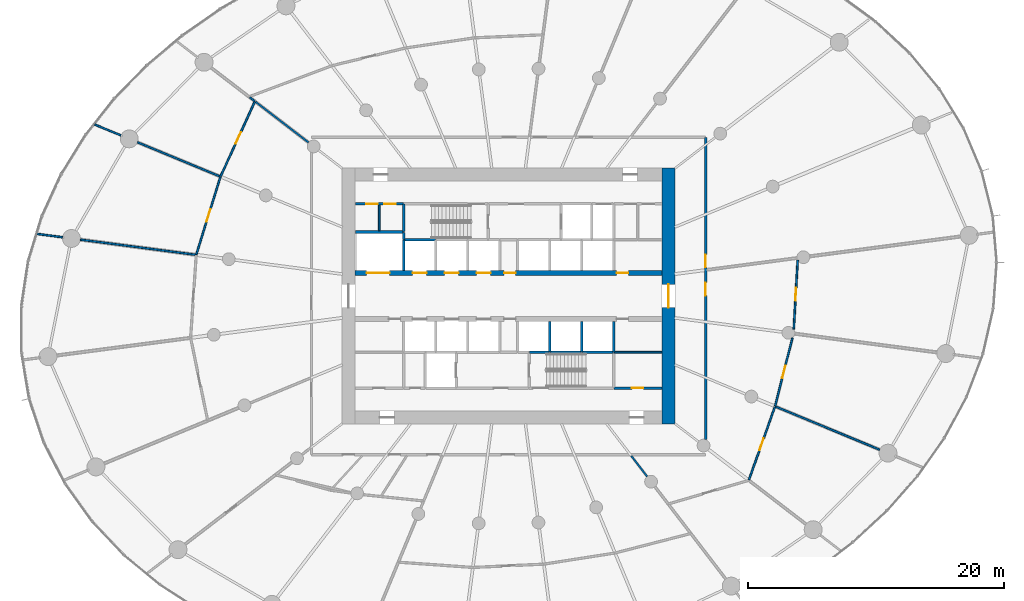
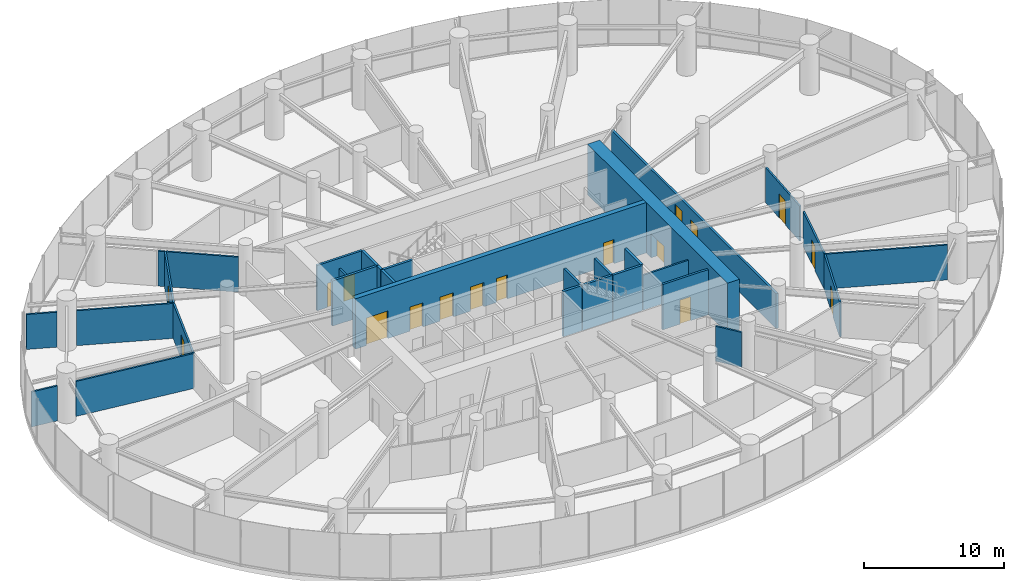
# One storey, part 14 of 19: 31 walls, 17 doors, 17 openings.
"""IFC4 building model written with IfcOpenShell, lengths in metres."""

from ifc_helpers import new_model, si_unit, direction, frame, frame_2d, origin, place, context, subcontext, project, spatial, rectangle, extrude, source, transform, mapped, material, layer, layer_set, type_object, element, fill, save


model = new_model("IFC4")

# Units and contexts
model_context = context("Model", 3, precision=1e-05, world=origin(), true_north=direction((0.0, 1.0)))
body_context = subcontext(model_context, "Body", "Model", "MODEL_VIEW")
ifc_project = project(units=[si_unit("LENGTHUNIT", "METRE"), si_unit("AREAUNIT", "SQUARE_METRE"), si_unit("VOLUMEUNIT", "CUBIC_METRE"), si_unit("PLANEANGLEUNIT", "RADIAN"), si_unit("MASSUNIT", "GRAM", prefix="KILO")], contexts=[model_context])

# Site, building, storey
site_placement = place(None, origin())
site = spatial("IfcSite", under=ifc_project, at=site_placement, CompositionType="ELEMENT")
building_placement = place(site_placement, origin())
building = spatial("IfcBuilding", under=site, at=building_placement, Name="Spindrift Exchange Tower", CompositionType="ELEMENT")
storey_placement = place(building_placement, frame((0.0, 0.0, 49.0)))
storey = spatial("IfcBuildingStorey", under=building, at=storey_placement, Name="L11", CompositionType="ELEMENT", Elevation=49.0)

# Wall, opening, door
ifc_material_1 = material(Name="Concrete 80 MPa", Category="concrete")
ifc_layer_1 = layer(ifc_material_1, 1.0)
ifc_layer_set_1 = layer_set([ifc_layer_1], Name="RC Core Wall 1000 Concrete 80 MPa")
wall_type_1 = type_object("IfcWallType", Name="RC Core Wall 1000 Concrete 80 MPa", PredefinedType="SHEAR", material=ifc_layer_set_1)
wall_1_placement = place(storey_placement, frame((64.5, 38.0, 0.0), z_axis=(0.0, 0.0, 1.0), x_axis=(0.0, 1.0, 0.0)))
wall_1 = element("IfcWall", 1, at=wall_1_placement, inside=storey, type_object=wall_type_1, Name="Core wall E L11", PredefinedType="SHEAR", context=body_context, shape_type="SweptSolid", body=[
    extrude(rectangle(XDim=20.0, YDim=1.0, at=frame_2d((10.0, 0.0))), origin(), (0.0, 0.0, 1.0), 4.39990234375),
])
opening_1_placement = place(wall_1_placement, frame((9.10009765625, 0.0, 0.0)))
opening_1 = element("IfcOpeningElement", 2, at=opening_1_placement, cuts=wall_1, Name="Opening L11-D2", PredefinedType="OPENING", context=body_context, shape_type="SweptSolid", body=[
    extrude(rectangle(XDim=1.800048828125, YDim=2.10009765625, at=frame_2d((0.89990234375, 1.050048828125))), frame((0.0, 0.510009765625, 0.0), z_axis=(0.0, -1.0, 0.0), x_axis=(1.0, 0.0, 0.0)), (0.0, 0.0, 1.0), 1.02001953125),
])
ifc_material_2 = material(Name="Timber-core fire door", Category="wood")
door_type_1 = type_object("IfcDoorType", Name="DR-LOBBY-1800", OperationType="NOTDEFINED", PredefinedType="DOOR", material=ifc_material_2)
shared_shape_1 = source(origin(), body_context, "Body", "SweptSolid", [
    extrude(rectangle(XDim=1.800048828125, YDim=2.10009765625, at=frame_2d((0.89990234375, 1.050048828125))), frame((0.0, 0.02490234375, 0.0), z_axis=(0.0, -1.0, 0.0), x_axis=(1.0, 0.0, 0.0)), (0.0, 0.0, 1.0), 0.050048828125),
])
door_1_placement = place(opening_1_placement, origin())
door_1 = element("IfcDoor", 3, at=door_1_placement, inside=storey, type_object=door_type_1, Name="L11 Lobby door 2", OperationType="SINGLE_SWING_LEFT", OverallHeight=2.10009765625, OverallWidth=1.800048828125, PredefinedType="DOOR", context=body_context, shape_type="MappedRepresentation", body=[
    mapped(shared_shape_1, transform((0.0, 0.0, 0.0), scale=1.0)),
])
fill(opening_1, door_1)

# Wall, openings, doors
ifc_layer_2 = layer(ifc_material_1, 0.39990234375)
ifc_layer_set_2 = layer_set([ifc_layer_2], Name="RC Spine Wall 400 Concrete 80 MPa")
wall_type_2 = type_object("IfcWallType", Name="RC Spine Wall 400 Concrete 80 MPa", PredefinedType="SHEAR", material=ifc_layer_set_2)
wall_2_placement = place(storey_placement, frame((40.0, 49.800048828125, 0.0), z_axis=(0.0, 0.0, 1.0), x_axis=(1.0, 0.0, 0.0)))
wall_2 = element("IfcWall", 4, at=wall_2_placement, inside=storey, type_object=wall_type_2, Name="Core spine wall N L11", PredefinedType="SHEAR", context=body_context, shape_type="SweptSolid", body=[
    extrude(rectangle(XDim=24.0, YDim=0.39990234375, at=frame_2d((12.0, 0.0))), origin(), (0.0, 0.0, 1.0), 4.39990234375),
])
opening_2_placement = place(wall_2_placement, frame((4.5, 0.0, 0.0)))
opening_2 = element("IfcOpeningElement", 5, at=opening_2_placement, cuts=wall_2, Name="Opening L11-D3", PredefinedType="OPENING", context=body_context, shape_type="SweptSolid", body=[
    extrude(rectangle(XDim=1.10009765625, YDim=2.10009765625, at=frame_2d((0.550048828125, 1.050048828125))), frame((0.0, 0.2099609375, 0.0), z_axis=(0.0, -1.0, 0.0), x_axis=(1.0, 0.0, 0.0)), (0.0, 0.0, 1.0), 0.419921875),
])
opening_3_placement = place(wall_2_placement, frame((7.0, 0.0, 0.0)))
opening_3 = element("IfcOpeningElement", 6, at=opening_3_placement, cuts=wall_2, Name="Opening L11-D4", PredefinedType="OPENING", context=body_context, shape_type="SweptSolid", body=[
    extrude(rectangle(XDim=1.10009765625, YDim=2.10009765625, at=frame_2d((0.550048828125, 1.050048828125))), frame((0.0, 0.2099609375, 0.0), z_axis=(0.0, -1.0, 0.0), x_axis=(1.0, 0.0, 0.0)), (0.0, 0.0, 1.0), 0.419921875),
])
opening_4_placement = place(wall_2_placement, frame((9.5, 0.0, 0.0)))
opening_4 = element("IfcOpeningElement", 7, at=opening_4_placement, cuts=wall_2, Name="Opening L11-D5", PredefinedType="OPENING", context=body_context, shape_type="SweptSolid", body=[
    extrude(rectangle(XDim=1.10009765625, YDim=2.10009765625, at=frame_2d((0.550048828125, 1.050048828125))), frame((0.0, 0.2099609375, 0.0), z_axis=(0.0, -1.0, 0.0), x_axis=(1.0, 0.0, 0.0)), (0.0, 0.0, 1.0), 0.419921875),
])
opening_5_placement = place(wall_2_placement, frame((0.89990234375, 0.0, 0.0)))
opening_5 = element("IfcOpeningElement", 8, at=opening_5_placement, cuts=wall_2, Name="Opening L11-D12", PredefinedType="OPENING", context=body_context, shape_type="SweptSolid", body=[
    extrude(rectangle(XDim=1.800048828125, YDim=2.39990234375, at=frame_2d((0.89990234375, 1.199951171875))), frame((0.0, 0.2099609375, 0.0), z_axis=(0.0, -1.0, 0.0), x_axis=(1.0, 0.0, 0.0)), (0.0, 0.0, 1.0), 0.419921875),
])
opening_6_placement = place(wall_2_placement, frame((20.449951171875, 0.0, 0.0)))
opening_6 = element("IfcOpeningElement", 9, at=opening_6_placement, cuts=wall_2, Name="Opening L11-D50", PredefinedType="OPENING", context=body_context, shape_type="SweptSolid", body=[
    extrude(rectangle(XDim=0.89990234375, YDim=2.10009765625, at=frame_2d((0.449951171875, 1.050048828125))), frame((0.0, 0.2099609375, 0.0), z_axis=(0.0, -1.0, 0.0), x_axis=(1.0, 0.0, 0.0)), (0.0, 0.0, 1.0), 0.419921875),
])
opening_7_placement = place(wall_2_placement, frame((11.64990234375, 0.0, 0.0)))
opening_7 = element("IfcOpeningElement", 10, at=opening_7_placement, cuts=wall_2, Name="Opening L11-D55", PredefinedType="OPENING", context=body_context, shape_type="SweptSolid", body=[
    extrude(rectangle(XDim=0.89990234375, YDim=2.10009765625, at=frame_2d((0.449951171875, 1.050048828125))), frame((0.0, 0.2099609375, 0.0), z_axis=(0.0, -1.0, 0.0), x_axis=(1.0, 0.0, 0.0)), (0.0, 0.0, 1.0), 0.419921875),
])
ifc_material_3 = material(Name="Stainless steel landing door", Category="steel")
door_type_2 = type_object("IfcDoorType", Name="DR-LANDING-1100-SL", OperationType="DOUBLE_DOOR_SLIDING", PredefinedType="USERDEFINED", material=ifc_material_3)
shared_shape_2 = source(origin(), body_context, "Body", "SweptSolid", [
    extrude(rectangle(XDim=1.10009765625, YDim=2.10009765625, at=frame_2d((0.550048828125, 1.050048828125))), frame((0.0, 0.02490234375, 0.0), z_axis=(0.0, -1.0, 0.0), x_axis=(1.0, 0.0, 0.0)), (0.0, 0.0, 1.0), 0.050048828125),
])
door_2_placement = place(opening_2_placement, origin())
door_2 = element("IfcDoor", 11, at=door_2_placement, inside=storey, type_object=door_type_2, Name="L11 Lift landing door 3", ObjectType="LANDING DOOR", OperationType="DOUBLE_DOOR_SLIDING", OverallHeight=2.10009765625, OverallWidth=1.10009765625, PredefinedType="USERDEFINED", context=body_context, shape_type="MappedRepresentation", body=[
    mapped(shared_shape_2, transform((0.0, 0.0, 0.0), scale=1.0)),
])
fill(opening_2, door_2)
door_3_placement = place(opening_3_placement, origin())
door_3 = element("IfcDoor", 12, at=door_3_placement, inside=storey, type_object=door_type_2, Name="L11 Lift landing door 4", ObjectType="LANDING DOOR", OperationType="DOUBLE_DOOR_SLIDING", OverallHeight=2.10009765625, OverallWidth=1.10009765625, PredefinedType="USERDEFINED", context=body_context, shape_type="MappedRepresentation", body=[
    mapped(shared_shape_2, transform((0.0, 0.0, 0.0), scale=1.0)),
])
fill(opening_3, door_3)
door_4_placement = place(opening_4_placement, origin())
door_4 = element("IfcDoor", 13, at=door_4_placement, inside=storey, type_object=door_type_2, Name="L11 Lift landing door 5", ObjectType="LANDING DOOR", OperationType="DOUBLE_DOOR_SLIDING", OverallHeight=2.10009765625, OverallWidth=1.10009765625, PredefinedType="USERDEFINED", context=body_context, shape_type="MappedRepresentation", body=[
    mapped(shared_shape_2, transform((0.0, 0.0, 0.0), scale=1.0)),
])
fill(opening_4, door_4)
door_type_3 = type_object("IfcDoorType", Name="DR-LANDING-1800-SL", OperationType="DOUBLE_DOOR_SLIDING", PredefinedType="USERDEFINED", material=ifc_material_3)
shared_shape_3 = source(origin(), body_context, "Body", "SweptSolid", [
    extrude(rectangle(XDim=1.800048828125, YDim=2.39990234375, at=frame_2d((0.89990234375, 1.199951171875))), frame((0.0, 0.02490234375, 0.0), z_axis=(0.0, -1.0, 0.0), x_axis=(1.0, 0.0, 0.0)), (0.0, 0.0, 1.0), 0.050048828125),
])
door_5_placement = place(opening_5_placement, origin())
door_5 = element("IfcDoor", 14, at=door_5_placement, inside=storey, type_object=door_type_3, Name="L11 Lift landing door 12", ObjectType="LANDING DOOR", OperationType="DOUBLE_DOOR_SLIDING", OverallHeight=2.39990234375, OverallWidth=1.800048828125, PredefinedType="USERDEFINED", context=body_context, shape_type="MappedRepresentation", body=[
    mapped(shared_shape_3, transform((0.0, 0.0, 0.0), scale=1.0)),
])
fill(opening_5, door_5)
ifc_material_4 = material(Name="Steel access door", Category="steel")
door_type_4 = type_object("IfcDoorType", Name="DR-RISER-900", OperationType="NOTDEFINED", PredefinedType="DOOR", material=ifc_material_4)
shared_shape_4 = source(origin(), body_context, "Body", "SweptSolid", [
    extrude(rectangle(XDim=0.89990234375, YDim=2.10009765625, at=frame_2d((0.449951171875, 1.050048828125))), frame((0.0, 0.02490234375, 0.0), z_axis=(0.0, -1.0, 0.0), x_axis=(1.0, 0.0, 0.0)), (0.0, 0.0, 1.0), 0.050048828125),
])
door_6_placement = place(opening_6_placement, origin())
door_6 = element("IfcDoor", 15, at=door_6_placement, inside=storey, type_object=door_type_4, Name="L11 Riser door 50", OperationType="SINGLE_SWING_LEFT", OverallHeight=2.10009765625, OverallWidth=0.89990234375, PredefinedType="DOOR", context=body_context, shape_type="MappedRepresentation", body=[
    mapped(shared_shape_4, transform((0.0, 0.0, 0.0), scale=1.0)),
])
fill(opening_6, door_6)
door_7_placement = place(opening_7_placement, origin())
door_7 = element("IfcDoor", 16, at=door_7_placement, inside=storey, type_object=door_type_4, Name="L11 Riser door 55", OperationType="SINGLE_SWING_RIGHT", OverallHeight=2.10009765625, OverallWidth=0.89990234375, PredefinedType="DOOR", context=body_context, shape_type="MappedRepresentation", body=[
    mapped(shared_shape_4, transform((0.0, 0.0, 0.0), scale=1.0)),
])
fill(opening_7, door_7)

ifc_material_5 = material(Name="Fire-rated plasterboard partition", Category="gypsum")
ifc_layer_3 = layer(ifc_material_5, 0.179931640625)
ifc_layer_set_3 = layer_set([ifc_layer_3], Name="W-CORR-180")
wall_type_3 = type_object("IfcWallType", Name="W-CORR-180", PredefinedType="PARTITIONING", material=ifc_layer_set_3)
wall_3_placement = place(storey_placement, frame((67.39990234375, 60.3701171875, 0.0), z_axis=(0.0, 0.0, 1.0), x_axis=(0.0, -1.0, 0.0)))
wall_3 = element("IfcWall", 17, at=wall_3_placement, inside=storey, type_object=wall_type_3, Name="L11 Partition wall 59", PredefinedType="PARTITIONING", context=body_context, shape_type="SweptSolid", body=[
    extrude(rectangle(XDim=23.58251953125, YDim=0.179931640625, at=frame_2d((11.791259765625, 0.0))), origin(), (0.0, 0.0, 1.0), 3.050048828125),
])
opening_8_placement = place(wall_3_placement, frame((11.33251953125, 0.0, 0.0)))
opening_8 = element("IfcOpeningElement", 18, at=opening_8_placement, cuts=wall_3, Name="Opening L11-D30", PredefinedType="OPENING", context=body_context, shape_type="SweptSolid", body=[
    extrude(rectangle(XDim=1.0, YDim=2.10009765625, at=frame_2d((0.5, 1.050048828125))), frame((0.0, 0.099853515625, 0.0), z_axis=(0.0, -1.0, 0.0), x_axis=(1.0, 0.0, 0.0)), (0.0, 0.0, 1.0), 0.199951171875),
])
opening_9_placement = place(wall_3_placement, frame((9.132568359375, 0.0, 0.0)))
opening_9 = element("IfcOpeningElement", 19, at=opening_9_placement, cuts=wall_3, Name="Opening L11-D35", PredefinedType="OPENING", context=body_context, shape_type="SweptSolid", body=[
    extrude(rectangle(XDim=1.0, YDim=2.10009765625, at=frame_2d((0.5, 1.050048828125))), frame((0.0, 0.099853515625, 0.0), z_axis=(0.0, -1.0, 0.0), x_axis=(1.0, 0.0, 0.0)), (0.0, 0.0, 1.0), 0.199951171875),
])
door_type_5 = type_object("IfcDoorType", Name="DR-ROOM-1000", OperationType="NOTDEFINED", PredefinedType="DOOR", material=ifc_material_2)
shared_shape_5 = source(origin(), body_context, "Body", "SweptSolid", [
    extrude(rectangle(XDim=1.0, YDim=2.10009765625, at=frame_2d((0.5, 1.050048828125))), frame((0.0, 0.02490234375, 0.0), z_axis=(0.0, -1.0, 0.0), x_axis=(1.0, 0.0, 0.0)), (0.0, 0.0, 1.0), 0.050048828125),
])
door_8_placement = place(opening_8_placement, origin())
door_8 = element("IfcDoor", 20, at=door_8_placement, inside=storey, type_object=door_type_5, Name="L11 Door 30", OperationType="SINGLE_SWING_LEFT", OverallHeight=2.10009765625, OverallWidth=1.0, PredefinedType="DOOR", context=body_context, shape_type="MappedRepresentation", body=[
    mapped(shared_shape_5, transform((0.0, 0.0, 0.0), scale=1.0)),
])
fill(opening_8, door_8)
door_9_placement = place(opening_9_placement, origin())
door_9 = element("IfcDoor", 21, at=door_9_placement, inside=storey, type_object=door_type_5, Name="L11 Door 35", OperationType="SINGLE_SWING_RIGHT", OverallHeight=2.10009765625, OverallWidth=1.0, PredefinedType="DOOR", context=body_context, shape_type="MappedRepresentation", body=[
    mapped(shared_shape_5, transform((0.0, 0.0, 0.0), scale=1.0)),
])
fill(opening_9, door_9)

wall_4_placement = place(storey_placement, frame((43.77001953125, 55.199951171875, 0.0), z_axis=(0.0, 0.0, 1.0), x_axis=(-1.0, 0.0, 0.0)))
wall_4 = element("IfcWall", 22, at=wall_4_placement, inside=storey, type_object=wall_type_3, Name="L11 Partition wall 62", PredefinedType="PARTITIONING", context=body_context, shape_type="SweptSolid", body=[
    extrude(rectangle(XDim=3.75, YDim=0.179931640625, at=frame_2d((1.875, 0.0))), origin(), (0.0, 0.0, 1.0), 3.949951171875),
])
opening_10_placement = place(wall_4_placement, frame((2.0, 0.0, 0.0)))
opening_10 = element("IfcOpeningElement", 23, at=opening_10_placement, cuts=wall_4, Name="Opening L11-D46", PredefinedType="OPENING", context=body_context, shape_type="SweptSolid", body=[
    extrude(rectangle(XDim=0.89990234375, YDim=2.10009765625, at=frame_2d((0.449951171875, 1.050048828125))), frame((0.0, 0.099853515625, 0.0), z_axis=(0.0, -1.0, 0.0), x_axis=(1.0, 0.0, 0.0)), (0.0, 0.0, 1.0), 0.199951171875),
])
opening_11_placement = place(wall_4_placement, frame((0.60009765625, 0.0, 0.0)))
opening_11 = element("IfcOpeningElement", 24, at=opening_11_placement, cuts=wall_4, Name="Opening L11-D47", PredefinedType="OPENING", context=body_context, shape_type="SweptSolid", body=[
    extrude(rectangle(XDim=0.89990234375, YDim=2.10009765625, at=frame_2d((0.449951171875, 1.050048828125))), frame((0.0, 0.099853515625, 0.0), z_axis=(0.0, -1.0, 0.0), x_axis=(1.0, 0.0, 0.0)), (0.0, 0.0, 1.0), 0.199951171875),
])
door_10_placement = place(opening_10_placement, origin())
door_10 = element("IfcDoor", 25, at=door_10_placement, inside=storey, type_object=door_type_4, Name="L11 Riser door 46", OperationType="SINGLE_SWING_LEFT", OverallHeight=2.10009765625, OverallWidth=0.89990234375, PredefinedType="DOOR", context=body_context, shape_type="MappedRepresentation", body=[
    mapped(shared_shape_4, transform((0.0, 0.0, 0.0), scale=1.0)),
])
fill(opening_10, door_10)
door_11_placement = place(opening_11_placement, origin())
door_11 = element("IfcDoor", 26, at=door_11_placement, inside=storey, type_object=door_type_4, Name="L11 Riser door 47", OperationType="SINGLE_SWING_RIGHT", OverallHeight=2.10009765625, OverallWidth=0.89990234375, PredefinedType="DOOR", context=body_context, shape_type="MappedRepresentation", body=[
    mapped(shared_shape_4, transform((0.0, 0.0, 0.0), scale=1.0)),
])
fill(opening_11, door_11)

# Wall, opening, door
wall_5_placement = place(storey_placement, frame((60.22998046875, 40.800048828125, 0.0), z_axis=(0.0, 0.0, 1.0), x_axis=(1.0, 0.0, 0.0)))
wall_5 = element("IfcWall", 27, at=wall_5_placement, inside=storey, type_object=wall_type_3, Name="L11 Partition wall 63", PredefinedType="PARTITIONING", context=body_context, shape_type="SweptSolid", body=[
    extrude(rectangle(XDim=3.75, YDim=0.179931640625, at=frame_2d((1.875, 0.0))), origin(), (0.0, 0.0, 1.0), 3.949951171875),
])
opening_12_placement = place(wall_5_placement, frame((1.39990234375, 0.0, 0.0)))
opening_12 = element("IfcOpeningElement", 28, at=opening_12_placement, cuts=wall_5, Name="Opening L11-D53", PredefinedType="OPENING", context=body_context, shape_type="SweptSolid", body=[
    extrude(rectangle(XDim=0.89990234375, YDim=2.10009765625, at=frame_2d((0.449951171875, 1.050048828125))), frame((0.0, 0.099853515625, 0.0), z_axis=(0.0, -1.0, 0.0), x_axis=(1.0, 0.0, 0.0)), (0.0, 0.0, 1.0), 0.199951171875),
])
door_12_placement = place(opening_12_placement, origin())
door_12 = element("IfcDoor", 29, at=door_12_placement, inside=storey, type_object=door_type_4, Name="L11 Riser door 53", OperationType="SINGLE_SWING_RIGHT", OverallHeight=2.10009765625, OverallWidth=0.89990234375, PredefinedType="DOOR", context=body_context, shape_type="MappedRepresentation", body=[
    mapped(shared_shape_4, transform((0.0, 0.0, 0.0), scale=1.0)),
])
fill(opening_12, door_12)

# Walls
ifc_layer_4 = layer(ifc_material_5, 0.139892578125)
ifc_layer_set_4 = layer_set([ifc_layer_4], Name="W-PART-140")
wall_type_4 = type_object("IfcWallType", Name="W-PART-140", PredefinedType="PARTITIONING", material=ifc_layer_set_4)
wall_6_placement = place(storey_placement, frame((27.58984375, 51.213623046875, 0.0), z_axis=(0.0, 0.0, 1.0), x_axis=(-0.991443735441, 0.13053474424, 0.0)))
element("IfcWall", 30, at=wall_6_placement, inside=storey, type_object=wall_type_4, Name="L11 Partition wall 70", PredefinedType="PARTITIONING", context=body_context, shape_type="SweptSolid", body=[
    extrude(rectangle(XDim=9.130859375, YDim=0.139892578125, at=frame_2d((4.5654296875, 0.0))), origin(), (0.0, 0.0, 1.0), 3.050048828125),
])
wall_7_placement = place(storey_placement, frame((72.8212890625, 39.37548828125, 0.0), z_axis=(0.0, 0.0, 1.0), x_axis=(0.923875203153, -0.382693884193, 0.0)))
element("IfcWall", 31, at=wall_7_placement, inside=storey, type_object=wall_type_4, Name="L11 Partition wall 72", PredefinedType="PARTITIONING", context=body_context, shape_type="SweptSolid", body=[
    extrude(rectangle(XDim=8.84521484375, YDim=0.139892578125, at=frame_2d((4.422607421875, 0.0))), origin(), (0.0, 0.0, 1.0), 3.050048828125),
])
wall_8_placement = place(storey_placement, frame((29.484375, 57.326416015625, 0.0), z_axis=(0.0, 0.0, 1.0), x_axis=(-0.923878476662, 0.3826859814, 0.0)))
element("IfcWall", 32, at=wall_8_placement, inside=storey, type_object=wall_type_4, Name="L11 Partition wall 75", PredefinedType="PARTITIONING", context=body_context, shape_type="SweptSolid", body=[
    extrude(rectangle(XDim=7.01123046875, YDim=0.139892578125, at=frame_2d((3.505615234375, 0.0))), origin(), (0.0, 0.0, 1.0), 3.050048828125),
])

# Wall, opening, door
wall_9_placement = place(storey_placement, frame((29.496826171875, 57.353515625, 0.0), z_axis=(0.0, 0.0, 1.0), x_axis=(0.416308805512, 0.909223283057, 0.0)))
wall_9 = element("IfcWall", 33, at=wall_9_placement, inside=storey, type_object=wall_type_4, Name="L11 Partition wall 81", PredefinedType="PARTITIONING", context=body_context, shape_type="SweptSolid", body=[
    extrude(rectangle(XDim=6.44091796875, YDim=0.139892578125, at=frame_2d((3.220458984375, 0.0))), origin(), (0.0, 0.0, 1.0), 3.050048828125),
])
opening_13_placement = place(wall_9_placement, frame((2.791015625, 0.0, 0.0)))
opening_13 = element("IfcOpeningElement", 34, at=opening_13_placement, cuts=wall_9, Name="Opening L11-D41", PredefinedType="OPENING", context=body_context, shape_type="SweptSolid", body=[
    extrude(rectangle(XDim=1.0, YDim=2.10009765625, at=frame_2d((0.5, 1.050048828125))), frame((0.0, 0.079833984375, 0.0), z_axis=(0.0, -1.0, 0.0), x_axis=(1.0, 0.0, 0.0)), (0.0, 0.0, 1.0), 0.159912109375),
])
door_13_placement = place(opening_13_placement, origin())
door_13 = element("IfcDoor", 35, at=door_13_placement, inside=storey, type_object=door_type_5, Name="L11 Door 41", OperationType="SINGLE_SWING_RIGHT", OverallHeight=2.10009765625, OverallWidth=1.0, PredefinedType="DOOR", context=body_context, shape_type="MappedRepresentation", body=[
    mapped(shared_shape_5, transform((0.0, 0.0, 0.0), scale=1.0)),
])
fill(opening_13, door_13)

wall_10_placement = place(storey_placement, frame((27.5986328125, 51.2421875, 0.0), z_axis=(0.0, 0.0, 1.0), x_axis=(0.296066096507, 0.95516745469, 0.0)))
wall_10 = element("IfcWall", 36, at=wall_10_placement, inside=storey, type_object=wall_type_4, Name="L11 Partition wall 82", PredefinedType="PARTITIONING", context=body_context, shape_type="SweptSolid", body=[
    extrude(rectangle(XDim=6.339599609375, YDim=0.139892578125, at=frame_2d((3.169921875, 0.0))), origin(), (0.0, 0.0, 1.0), 3.050048828125),
])
opening_14_placement = place(wall_10_placement, frame((2.689453125, 0.0, 0.0)))
opening_14 = element("IfcOpeningElement", 37, at=opening_14_placement, cuts=wall_10, Name="Opening L11-D42", PredefinedType="OPENING", context=body_context, shape_type="SweptSolid", body=[
    extrude(rectangle(XDim=1.0, YDim=2.10009765625, at=frame_2d((0.5, 1.050048828125))), frame((0.0, 0.079833984375, 0.0), z_axis=(0.0, -1.0, 0.0), x_axis=(1.0, 0.0, 0.0)), (0.0, 0.0, 1.0), 0.159912109375),
])
door_14_placement = place(opening_14_placement, origin())
door_14 = element("IfcDoor", 38, at=door_14_placement, inside=storey, type_object=door_type_5, Name="L11 Door 42", OperationType="SINGLE_SWING_LEFT", OverallHeight=2.10009765625, OverallWidth=1.0, PredefinedType="DOOR", context=body_context, shape_type="MappedRepresentation", body=[
    mapped(shared_shape_5, transform((0.0, 0.0, 0.0), scale=1.0)),
])
fill(opening_14, door_14)

wall_11_placement = place(storey_placement, frame((72.798095703125, 39.309326171875, 0.0), z_axis=(0.0, 0.0, 1.0), x_axis=(-0.334820387554, -0.942281968456, 0.0)))
wall_11 = element("IfcWall", 39, at=wall_11_placement, inside=storey, type_object=wall_type_4, Name="L11 Partition wall 83", PredefinedType="PARTITIONING", context=body_context, shape_type="SweptSolid", body=[
    extrude(rectangle(XDim=6.031005859375, YDim=0.139892578125, at=frame_2d((3.015625, 0.0))), origin(), (0.0, 0.0, 1.0), 3.050048828125),
])
opening_15_placement = place(wall_11_placement, frame((2.5810546875, 0.0, 0.0)))
opening_15 = element("IfcOpeningElement", 40, at=opening_15_placement, cuts=wall_11, Name="Opening L11-D32", PredefinedType="OPENING", context=body_context, shape_type="SweptSolid", body=[
    extrude(rectangle(XDim=1.0, YDim=2.10009765625, at=frame_2d((0.5, 1.050048828125))), frame((0.0, 0.079833984375, 0.0), z_axis=(0.0, -1.0, 0.0), x_axis=(1.0, 0.0, 0.0)), (0.0, 0.0, 1.0), 0.159912109375),
])
door_15_placement = place(opening_15_placement, origin())
door_15 = element("IfcDoor", 41, at=door_15_placement, inside=storey, type_object=door_type_5, Name="L11 Door 32", OperationType="SINGLE_SWING_LEFT", OverallHeight=2.10009765625, OverallWidth=1.0, PredefinedType="DOOR", context=body_context, shape_type="MappedRepresentation", body=[
    mapped(shared_shape_5, transform((0.0, 0.0, 0.0), scale=1.0)),
])
fill(opening_15, door_15)

wall_12_placement = place(storey_placement, frame((74.17822265625, 44.727294921875, 0.0), z_axis=(0.0, 0.0, 1.0), x_axis=(-0.245735490717, -0.969336922129, 0.0)))
wall_12 = element("IfcWall", 42, at=wall_12_placement, inside=storey, type_object=wall_type_4, Name="L11 Partition wall 92", PredefinedType="PARTITIONING", context=body_context, shape_type="SweptSolid", body=[
    extrude(rectangle(XDim=5.4912109375, YDim=0.139892578125, at=frame_2d((2.74560546875, 0.0))), origin(), (0.0, 0.0, 1.0), 3.050048828125),
])
opening_16_placement = place(wall_12_placement, frame((2.2412109375, 0.0, 0.0)))
opening_16 = element("IfcOpeningElement", 43, at=opening_16_placement, cuts=wall_12, Name="Opening L11-D33", PredefinedType="OPENING", context=body_context, shape_type="SweptSolid", body=[
    extrude(rectangle(XDim=1.0, YDim=2.10009765625, at=frame_2d((0.5, 1.050048828125))), frame((0.0, 0.079833984375, 0.0), z_axis=(0.0, -1.0, 0.0), x_axis=(1.0, 0.0, 0.0)), (0.0, 0.0, 1.0), 0.159912109375),
])
door_16_placement = place(opening_16_placement, origin())
door_16 = element("IfcDoor", 44, at=door_16_placement, inside=storey, type_object=door_type_5, Name="L11 Door 33", OperationType="SINGLE_SWING_RIGHT", OverallHeight=2.10009765625, OverallWidth=1.0, PredefinedType="DOOR", context=body_context, shape_type="MappedRepresentation", body=[
    mapped(shared_shape_5, transform((0.0, 0.0, 0.0), scale=1.0)),
])
fill(opening_16, door_16)

wall_13_placement = place(storey_placement, frame((74.589111328125, 50.793212890625, 0.0), z_axis=(0.0, 0.0, 1.0), x_axis=(-0.056551571082, -0.998399679391, 0.0)))
wall_13 = element("IfcWall", 45, at=wall_13_placement, inside=storey, type_object=wall_type_4, Name="L11 Partition wall 94", PredefinedType="PARTITIONING", context=body_context, shape_type="SweptSolid", body=[
    extrude(rectangle(XDim=5.400634765625, YDim=0.139892578125, at=frame_2d((2.7001953125, 0.0))), origin(), (0.0, 0.0, 1.0), 3.050048828125),
])
opening_17_placement = place(wall_13_placement, frame((2.150634765625, 0.0, 0.0)))
opening_17 = element("IfcOpeningElement", 46, at=opening_17_placement, cuts=wall_13, Name="Opening L11-D34", PredefinedType="OPENING", context=body_context, shape_type="SweptSolid", body=[
    extrude(rectangle(XDim=1.0, YDim=2.10009765625, at=frame_2d((0.5, 1.050048828125))), frame((0.0, 0.079833984375, 0.0), z_axis=(0.0, -1.0, 0.0), x_axis=(1.0, 0.0, 0.0)), (0.0, 0.0, 1.0), 0.159912109375),
])
door_17_placement = place(opening_17_placement, origin())
door_17 = element("IfcDoor", 47, at=door_17_placement, inside=storey, type_object=door_type_5, Name="L11 Door 34", OperationType="SINGLE_SWING_LEFT", OverallHeight=2.10009765625, OverallWidth=1.0, PredefinedType="DOOR", context=body_context, shape_type="MappedRepresentation", body=[
    mapped(shared_shape_5, transform((0.0, 0.0, 0.0), scale=1.0)),
])
fill(opening_17, door_17)

# Walls
wall_14_placement = place(storey_placement, frame((36.367431640625, 59.995361328125, 0.0), z_axis=(0.0, 0.0, 1.0), x_axis=(-0.793353550187, 0.608761155467, 0.0)))
element("IfcWall", 48, at=wall_14_placement, inside=storey, type_object=wall_type_4, Name="L11 Partition wall 96", PredefinedType="PARTITIONING", context=body_context, shape_type="SweptSolid", body=[
    extrude(rectangle(XDim=5.208251953125, YDim=0.139892578125, at=frame_2d((2.60400390625, 0.0))), origin(), (0.0, 0.0, 1.0), 3.050048828125),
])
wall_15_placement = place(storey_placement, frame((60.22998046875, 43.60009765625, 0.0), z_axis=(0.0, 0.0, 1.0), x_axis=(1.0, 0.0, 0.0)))
element("IfcWall", 49, at=wall_15_placement, inside=storey, type_object=wall_type_4, Name="L11 Partition wall 104", PredefinedType="PARTITIONING", context=body_context, shape_type="SweptSolid", body=[
    extrude(rectangle(XDim=3.75, YDim=0.139892578125, at=frame_2d((1.875, 0.0))), origin(), (0.0, 0.0, 1.0), 3.050048828125),
])
wall_16_placement = place(storey_placement, frame((21.7041015625, 60.549072265625, 0.0), z_axis=(0.0, 0.0, 1.0), x_axis=(-0.923899948789, 0.382634139392, 0.0)))
element("IfcWall", 50, at=wall_16_placement, inside=storey, type_object=wall_type_4, Name="L11 Partition wall 113", PredefinedType="PARTITIONING", context=body_context, shape_type="SweptSolid", body=[
    extrude(rectangle(XDim=2.214599609375, YDim=0.139892578125, at=frame_2d((1.107421875, 0.0))), origin(), (0.0, 0.0, 1.0), 3.050048828125),
])
wall_17_placement = place(storey_placement, frame((41.89990234375, 53.10009765625, 0.0), z_axis=(0.0, 0.0, 1.0), x_axis=(0.0, 1.0, 0.0)))
element("IfcWall", 51, at=wall_17_placement, inside=storey, type_object=wall_type_4, Name="L11 Partition wall 114", PredefinedType="PARTITIONING", context=body_context, shape_type="SweptSolid", body=[
    extrude(rectangle(XDim=2.010009765625, YDim=0.139892578125, at=frame_2d((1.0048828125, 0.0))), origin(), (0.0, 0.0, 1.0), 3.050048828125),
])
wall_18_placement = place(storey_placement, frame((61.583984375, 35.510009765625, 0.0), z_axis=(0.0, 0.0, 1.0), x_axis=(0.608727763541, -0.793379171578, 0.0)))
element("IfcWall", 52, at=wall_18_placement, inside=storey, type_object=wall_type_4, Name="L11 Partition wall 116", PredefinedType="PARTITIONING", context=body_context, shape_type="SweptSolid", body=[
    extrude(rectangle(XDim=2.04150390625, YDim=0.139892578125, at=frame_2d((1.020751953125, 0.0))), origin(), (0.0, 0.0, 1.0), 3.050048828125),
])
wall_19_placement = place(storey_placement, frame((17.140625, 52.58935546875, 0.0), z_axis=(0.0, 0.0, 1.0), x_axis=(-0.991443960057, 0.130533038219, 0.0)))
element("IfcWall", 53, at=wall_19_placement, inside=storey, type_object=wall_type_4, Name="L11 Partition wall 118", PredefinedType="PARTITIONING", context=body_context, shape_type="SweptSolid", body=[
    extrude(rectangle(XDim=2.010498046875, YDim=0.139892578125, at=frame_2d((1.00537109375, 0.0))), origin(), (0.0, 0.0, 1.0), 3.050048828125),
])
wall_20_placement = place(storey_placement, frame((32.154541015625, 63.227783203125, 0.0), z_axis=(0.0, 0.0, 1.0), x_axis=(-0.793176766219, 0.608991475745, 0.0)))
element("IfcWall", 54, at=wall_20_placement, inside=storey, type_object=wall_type_4, Name="L11 Partition wall 135", PredefinedType="PARTITIONING", context=body_context, shape_type="SweptSolid", body=[
    extrude(rectangle(XDim=0.475830078125, YDim=0.139892578125, at=frame_2d((0.23779296875, 0.0))), origin(), (0.0, 0.0, 1.0), 3.050048828125),
])
ifc_material_6 = material(Name="Concrete 40 MPa", Category="concrete")
ifc_layer_5 = layer(ifc_material_6, 0.199951171875)
ifc_layer_set_5 = layer_set([ifc_layer_5], Name="W-SHAFT-200-LB")
wall_type_5 = type_object("IfcWallType", Name="W-SHAFT-200-LB", PredefinedType="SOLIDWALL", material=ifc_layer_set_5)
wall_21_placement = place(storey_placement, frame((43.800048828125, 53.0, 0.0), z_axis=(0.0, 0.0, 1.0), x_axis=(-1.0, 0.0, 0.0)))
element("IfcWall", 55, at=wall_21_placement, inside=storey, type_object=wall_type_5, Name="L11 Shaft wall 5", PredefinedType="SOLIDWALL", context=body_context, shape_type="SweptSolid", body=[
    extrude(rectangle(XDim=3.780029296875, YDim=0.199951171875, at=frame_2d((1.89013671875, 0.0))), origin(), (0.0, 0.0, 1.0), 3.949951171875),
])
for number, where, z_axis, x_axis, name in (
    (56, (46.300048828125, 52.39990234375, 0.0), (0.0, 0.0, 1.0), (-1.0, 0.0, 0.0), "L11 Shaft wall 15"),
    (57, (55.199951171875, 43.60009765625, 0.0), (0.0, 0.0, 1.0), (1.0, 0.0, 0.0), "L11 Shaft wall 19"),
):
    element("IfcWall", number, at=place(storey_placement, frame(where, z_axis=z_axis, x_axis=x_axis)), inside=storey, type_object=wall_type_5, Name=name, PredefinedType="SOLIDWALL", context=body_context, shape_type="SweptSolid", body=[
        extrude(rectangle(XDim=2.5, YDim=0.199951171875, at=frame_2d((1.25, 0.0))), origin(), (0.0, 0.0, 1.0), 3.949951171875),
    ])
wall_22_placement = place(storey_placement, frame((57.72998046875, 43.60009765625, 0.0), z_axis=(0.0, 0.0, 1.0), x_axis=(1.0, 0.0, 0.0)))
element("IfcWall", 58, at=wall_22_placement, inside=storey, type_object=wall_type_5, Name="L11 Shaft wall 20", PredefinedType="SOLIDWALL", context=body_context, shape_type="SweptSolid", body=[
    extrude(rectangle(XDim=2.43994140625, YDim=0.199951171875, at=frame_2d((1.219970703125, 0.0))), origin(), (0.0, 0.0, 1.0), 3.949951171875),
])
for number, where, z_axis, x_axis, name in (
    (59, (43.800048828125, 52.3701171875, 0.0), (0.0, 0.0, 1.0), (0.0, -1.0, 0.0), "L11 Shaft wall 24"),
    (60, (55.199951171875, 43.6298828125, 0.0), (0.0, 0.0, 1.0), (0.0, 1.0, 0.0), "L11 Shaft wall 33"),
    (61, (57.699951171875, 43.6298828125, 0.0), (0.0, 0.0, 1.0), (0.0, 1.0, 0.0), "L11 Shaft wall 35"),
    (62, (60.199951171875, 43.6298828125, 0.0), (0.0, 0.0, 1.0), (0.0, 1.0, 0.0), "L11 Shaft wall 37"),
):
    element("IfcWall", number, at=place(storey_placement, frame(where, z_axis=z_axis, x_axis=x_axis)), inside=storey, type_object=wall_type_5, Name=name, PredefinedType="SOLIDWALL", context=body_context, shape_type="SweptSolid", body=[
        extrude(rectangle(XDim=2.360107421875, YDim=0.199951171875, at=frame_2d((1.18017578125, 0.0))), origin(), (0.0, 0.0, 1.0), 3.949951171875),
    ])
wall_23_placement = place(storey_placement, frame((43.800048828125, 55.169921875, 0.0), z_axis=(0.0, 0.0, 1.0), x_axis=(0.0, -1.0, 0.0)))
element("IfcWall", 63, at=wall_23_placement, inside=storey, type_object=wall_type_5, Name="L11 Shaft wall 39", PredefinedType="SOLIDWALL", context=body_context, shape_type="SweptSolid", body=[
    extrude(rectangle(XDim=2.139892578125, YDim=0.199951171875, at=frame_2d((1.06982421875, 0.0))), origin(), (0.0, 0.0, 1.0), 3.949951171875),
])
wall_24_placement = place(storey_placement, frame((53.6298828125, 43.60009765625, 0.0), z_axis=(0.0, 0.0, 1.0), x_axis=(1.0, 0.0, 0.0)))
element("IfcWall", 64, at=wall_24_placement, inside=storey, type_object=wall_type_5, Name="L11 Shaft wall 46", PredefinedType="SOLIDWALL", context=body_context, shape_type="SweptSolid", body=[
    extrude(rectangle(XDim=1.5400390625, YDim=0.199951171875, at=frame_2d((0.77001953125, 0.0))), origin(), (0.0, 0.0, 1.0), 3.949951171875),
])
wall_25_placement = place(storey_placement, frame((43.800048828125, 52.429931640625, 0.0), z_axis=(0.0, 0.0, 1.0), x_axis=(0.0, 1.0, 0.0)))
element("IfcWall", 65, at=wall_25_placement, inside=storey, type_object=wall_type_5, Name="L11 Shaft wall 56", PredefinedType="SOLIDWALL", context=body_context, shape_type="SweptSolid", body=[
    extrude(rectangle(XDim=0.5400390625, YDim=0.199951171875, at=frame_2d((0.27001953125, 0.0))), origin(), (0.0, 0.0, 1.0), 3.949951171875),
])

save(model, "model.ifc")
